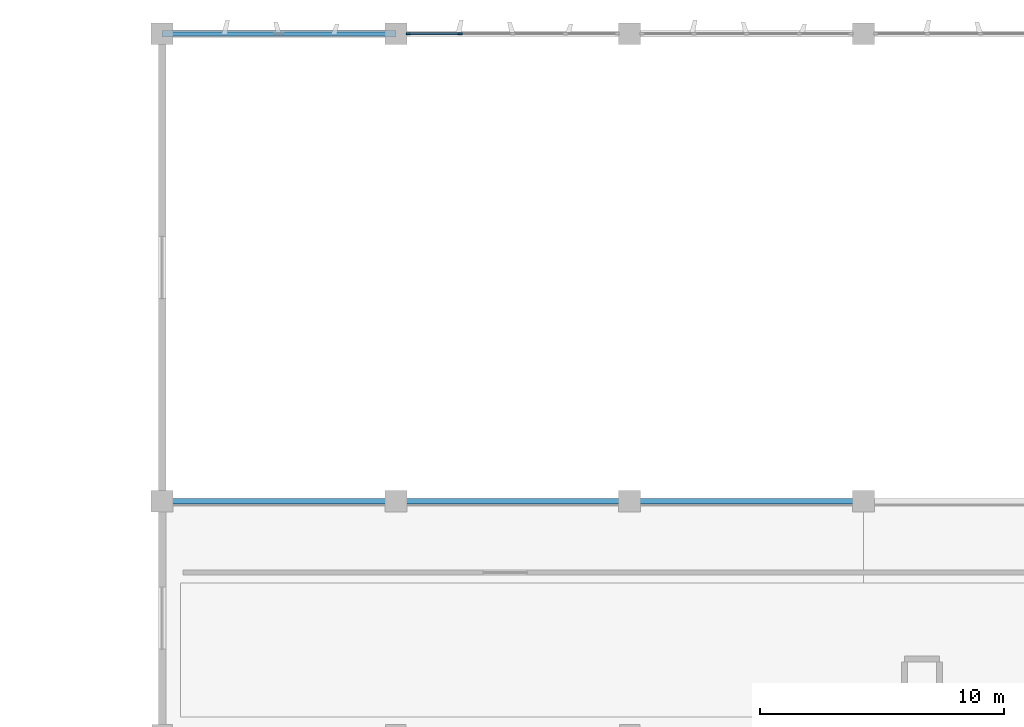
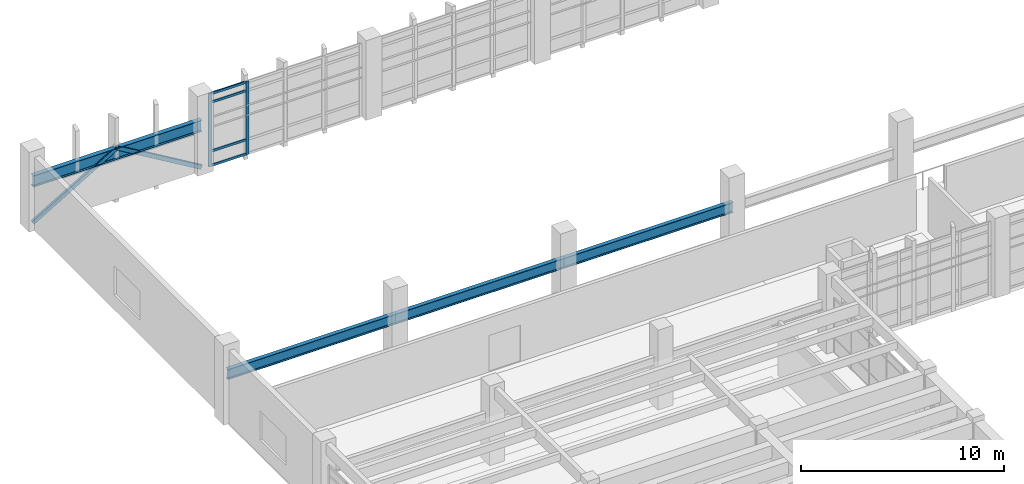
# One storey, part 24 of 86: 8 members, 4 beams, 1 element without a shape of its own.
"""IFC4 building model written with IfcOpenShell, lengths in metres."""

from ifc_helpers import new_model, si_unit, direction, frame, origin, origin_2d, place, context, subcontext, project, spatial, rectangle, hollow_rectangle, i_section, extrude, material, layer, layer_set, material_profile, profile_set, type_object, element, aggregate, save


model = new_model("IFC4")

# Units and contexts
model_context = context("Model", 3, precision=1e-05, world=origin(), true_north=direction((0.0, 1.0)))
body_context = subcontext(model_context, "Body", "Model", "MODEL_VIEW")
ifc_project = project(units=[si_unit("LENGTHUNIT", "METRE"), si_unit("AREAUNIT", "SQUARE_METRE"), si_unit("VOLUMEUNIT", "CUBIC_METRE"), si_unit("PLANEANGLEUNIT", "RADIAN"), si_unit("MASSUNIT", "GRAM", prefix="KILO")], contexts=[model_context])

# Site, building, storey
site_placement = place(None, origin())
site = spatial("IfcSite", under=ifc_project, at=site_placement, CompositionType="ELEMENT")
building_placement = place(site_placement, origin())
building = spatial("IfcBuilding", under=site, at=building_placement, Name="Kolvemor Railside Polytechnic", CompositionType="ELEMENT")
storey_placement = place(building_placement, frame((0.0, 0.0, 5.39990234375)))
storey = spatial("IfcBuildingStorey", under=building, at=storey_placement, Name="L01", CompositionType="ELEMENT", Elevation=5.39990234375)

# Beams
ifc_material_1 = material(Name="Steel S355", Category="steel")
ifc_material_profile_1 = material_profile(ifc_material_1, i_section(OverallWidth=0.256103515625, OverallDepth=0.693115234375, WebThickness=0.014404296875, FlangeThickness=0.023681640625, FilletRadius=0.01611328125, at=origin_2d()), Name="W690x170")
ifc_profile_set_1 = profile_set([ifc_material_profile_1], Name="Steel S355")
beam_type_1 = type_object("IfcBeamType", Name="BM-ST-CRANE0", PredefinedType="BEAM", material=ifc_profile_set_1)
beam_1_placement = place(storey_placement, frame((19.199951171875, 120.0, 2.691650390625), z_axis=(1.0, 0.0, 0.0), x_axis=(0.0, 1.0, 0.0)))
element("IfcBeam", 1, at=beam_1_placement, inside=storey, type_object=beam_type_1, Name="Crane Runway Girder CRG-N01", PredefinedType="BEAM", context=body_context, shape_type="SweptSolid", body=[
    extrude(i_section(OverallWidth=0.256103515625, OverallDepth=0.693115234375, WebThickness=0.014404296875, FlangeThickness=0.023681640625, FilletRadius=0.01611328125, at=origin_2d()), origin(), (0.0, 0.0, 1.0), 9.60009765625),
])
ifc_material_2 = material(Name="Steel S355", Category="steel")
ifc_material_profile_2 = material_profile(ifc_material_2, i_section(OverallWidth=0.22998046875, OverallDepth=0.616943359375, WebThickness=0.01318359375, FlangeThickness=0.022216796875, FilletRadius=0.01611328125, at=origin_2d()), Name="W610x140")
ifc_profile_set_2 = profile_set([ifc_material_profile_2], Name="Steel S355")
beam_type_2 = type_object("IfcBeamType", Name="BM-ST-CRANE1", PredefinedType="BEAM", material=ifc_profile_set_2)
beam_2_placement = place(storey_placement, frame((19.199951171875, 100.800048828125, 2.691650390625), z_axis=(1.0, 0.0, 0.0), x_axis=(0.0, 1.0, 0.0)))
element("IfcBeam", 2, at=beam_2_placement, inside=storey, type_object=beam_type_2, Name="Crane Runway Girder CRG-S01", PredefinedType="BEAM", context=body_context, shape_type="SweptSolid", body=[
    extrude(i_section(OverallWidth=0.22998046875, OverallDepth=0.616943359375, WebThickness=0.01318359375, FlangeThickness=0.022216796875, FilletRadius=0.01611328125, at=origin_2d()), origin(), (0.0, 0.0, 1.0), 9.60009765625),
])
beam_3_placement = place(storey_placement, frame((28.800048828125, 100.800048828125, 2.691650390625), z_axis=(1.0, 0.0, 0.0), x_axis=(0.0, 1.0, 0.0)))
element("IfcBeam", 3, at=beam_3_placement, inside=storey, type_object=beam_type_2, Name="Crane Runway Girder CRG-S02", PredefinedType="BEAM", context=body_context, shape_type="SweptSolid", body=[
    extrude(i_section(OverallWidth=0.22998046875, OverallDepth=0.616943359375, WebThickness=0.01318359375, FlangeThickness=0.022216796875, FilletRadius=0.01611328125, at=origin_2d()), origin(), (0.0, 0.0, 1.0), 9.599853515625),
])
beam_4_placement = place(storey_placement, frame((38.39990234375, 100.800048828125, 2.691650390625), z_axis=(1.0, 0.0, 0.0), x_axis=(0.0, 1.0, 0.0)))
element("IfcBeam", 4, at=beam_4_placement, inside=storey, type_object=beam_type_2, Name="Crane Runway Girder CRG-S03", PredefinedType="BEAM", context=body_context, shape_type="SweptSolid", body=[
    extrude(i_section(OverallWidth=0.22998046875, OverallDepth=0.616943359375, WebThickness=0.01318359375, FlangeThickness=0.022216796875, FilletRadius=0.01611328125, at=origin_2d()), origin(), (0.0, 0.0, 1.0), 9.60009765625),
])

# Curtain wall, members
ifc_material_3 = material(Name="Anodised marine aluminium and laminated low-E glass", Category="aluminium")
ifc_layer = layer(ifc_material_3, 0.179931640625, Name="CW-UNIT-WKS")
ifc_layer_set = layer_set([ifc_layer], Name="Anodised marine aluminium and laminated low-E glass")
curtain_wall_type = type_object("IfcCurtainWallType", Name="CW-UNIT-WKS", PredefinedType="USERDEFINED", material=ifc_layer_set)
curtain_wall_placement = place(storey_placement, origin())
curtain_wall = element("IfcCurtainWall", 5, at=curtain_wall_placement, inside=storey, type_object=curtain_wall_type, Name="Curtain Wall L01-002", ObjectType="UNITISED CURTAIN WALL", PredefinedType="USERDEFINED")
ifc_material_4 = material(Name="Anodised marine aluminium 6063-T6", Category="aluminium")
ifc_material_profile_3 = material_profile(ifc_material_4, rectangle(XDim=0.074951171875, YDim=0.179931640625, at=origin_2d()), Name="CW-MUL-75x180")
ifc_profile_set_3 = profile_set([ifc_material_profile_3], Name="Anodised marine aluminium 6063-T6")
member_type_1 = type_object("IfcMemberType", Name="CWM-75x180", PredefinedType="MULLION", material=ifc_profile_set_3)
member_1_placement = place(storey_placement, frame((31.43505859375, 120.0, 0.0), z_axis=(0.0, 0.0, 1.0), x_axis=(0.0, -1.0, 0.0)))
member_1 = element("IfcMember", 6, at=member_1_placement, type_object=member_type_1, Name="CW-WKS mullion 4", PredefinedType="MULLION", context=body_context, shape_type="SweptSolid", body=[
    extrude(rectangle(XDim=0.074951171875, YDim=0.179931640625, at=origin_2d()), origin(), (0.0, 0.0, 1.0), 4.400146484375),
])
member_2_placement = place(storey_placement, frame((29.3076171875, 120.0, 0.0), z_axis=(0.0, 0.0, 1.0), x_axis=(0.0, -1.0, 0.0)))
member_2 = element("IfcMember", 7, at=member_2_placement, type_object=member_type_1, Name="CW-WKS mullion 5", PredefinedType="MULLION", context=body_context, shape_type="SweptSolid", body=[
    extrude(rectangle(XDim=0.074951171875, YDim=0.179931640625, at=origin_2d()), origin(), (0.0, 0.0, 1.0), 4.400146484375),
])
ifc_material_5 = material(Name="Anodised marine aluminium 6063-T6", Category="aluminium")
ifc_material_profile_4 = material_profile(ifc_material_5, rectangle(XDim=0.074951171875, YDim=0.139892578125, at=origin_2d()), Name="CW-TRN-75x140")
ifc_profile_set_4 = profile_set([ifc_material_profile_4], Name="Anodised marine aluminium 6063-T6")
member_type_2 = type_object("IfcMemberType", Name="CWT-75x140", PredefinedType="USERDEFINED", material=ifc_profile_set_4)
member_3_placement = place(storey_placement, frame((31.3974609375, 120.0, 0.03759765625), z_axis=(-1.0, 0.0, 0.0), x_axis=(0.0, -1.0, 0.0)))
member_3 = element("IfcMember", 8, at=member_3_placement, type_object=member_type_2, Name="CW-WKS transom 4.1", ObjectType="TRANSOM", PredefinedType="USERDEFINED", context=body_context, shape_type="SweptSolid", body=[
    extrude(rectangle(XDim=0.074951171875, YDim=0.139892578125, at=origin_2d()), origin(), (0.0, 0.0, 1.0), 2.052490234375),
])
member_4_placement = place(storey_placement, frame((31.3974609375, 120.0, 0.900146484375), z_axis=(-1.0, 0.0, 0.0), x_axis=(0.0, -1.0, 0.0)))
member_4 = element("IfcMember", 9, at=member_4_placement, type_object=member_type_2, Name="CW-WKS transom 4.2", ObjectType="TRANSOM", PredefinedType="USERDEFINED", context=body_context, shape_type="SweptSolid", body=[
    extrude(rectangle(XDim=0.074951171875, YDim=0.139892578125, at=origin_2d()), origin(), (0.0, 0.0, 1.0), 2.052490234375),
])
member_5_placement = place(storey_placement, frame((31.3974609375, 120.0, 3.85009765625), z_axis=(-1.0, 0.0, 0.0), x_axis=(0.0, -1.0, 0.0)))
member_5 = element("IfcMember", 10, at=member_5_placement, type_object=member_type_2, Name="CW-WKS transom 4.3", ObjectType="TRANSOM", PredefinedType="USERDEFINED", context=body_context, shape_type="SweptSolid", body=[
    extrude(rectangle(XDim=0.074951171875, YDim=0.139892578125, at=origin_2d()), origin(), (0.0, 0.0, 1.0), 2.052490234375),
])
member_6_placement = place(storey_placement, frame((31.3974609375, 120.0, 4.362548828125), z_axis=(-1.0, 0.0, 0.0), x_axis=(0.0, -1.0, 0.0)))
member_6 = element("IfcMember", 11, at=member_6_placement, type_object=member_type_2, Name="CW-WKS transom 4.4", ObjectType="TRANSOM", PredefinedType="USERDEFINED", context=body_context, shape_type="SweptSolid", body=[
    extrude(rectangle(XDim=0.074951171875, YDim=0.139892578125, at=origin_2d()), origin(), (0.0, 0.0, 1.0), 2.052490234375),
])
aggregate(curtain_wall, [member_1, member_2, member_3, member_4, member_5, member_6])

# Members
ifc_material_6 = material(Name="Steel S355", Category="steel")
ifc_material_profile_5 = material_profile(ifc_material_6, hollow_rectangle(XDim=0.14990234375, YDim=0.25, WallThickness=0.010009765625, InnerFilletRadius=0.010009765625, OuterFilletRadius=0.02001953125, at=origin_2d()), Name="HSS250x150x10")
ifc_profile_set_5 = profile_set([ifc_material_profile_5], Name="Steel S355")
member_type_3 = type_object("IfcMemberType", Name="MEM-BR-HSS1", PredefinedType="BRACE", material=ifc_profile_set_5)
for number, where, z_axis, x_axis, name in (
    (12, (19.199951171875, 120.0, 0.150146484375), (0.85986854286, 0.0, 0.510515512986), (0.0, 1.0, 0.0), "Wind Chevron Brace BR-03A"),
    (13, (28.800048828125, 120.0, 0.150146484375), (-0.85986854286, 0.0, 0.510515512986), (0.0, -1.0, 0.0), "Wind Chevron Brace BR-03B"),
):
    element("IfcMember", number, at=place(storey_placement, frame(where, z_axis=z_axis, x_axis=x_axis)), inside=storey, type_object=member_type_3, Name=name, PredefinedType="BRACE", context=body_context, shape_type="SweptSolid", body=[
        extrude(hollow_rectangle(XDim=0.14990234375, YDim=0.25, WallThickness=0.010009765625, InnerFilletRadius=0.010009765625, OuterFilletRadius=0.02001953125, at=origin_2d()), origin(), (0.0, 0.0, 1.0), 5.582275390625),
    ])

save(model, "model.ifc")
